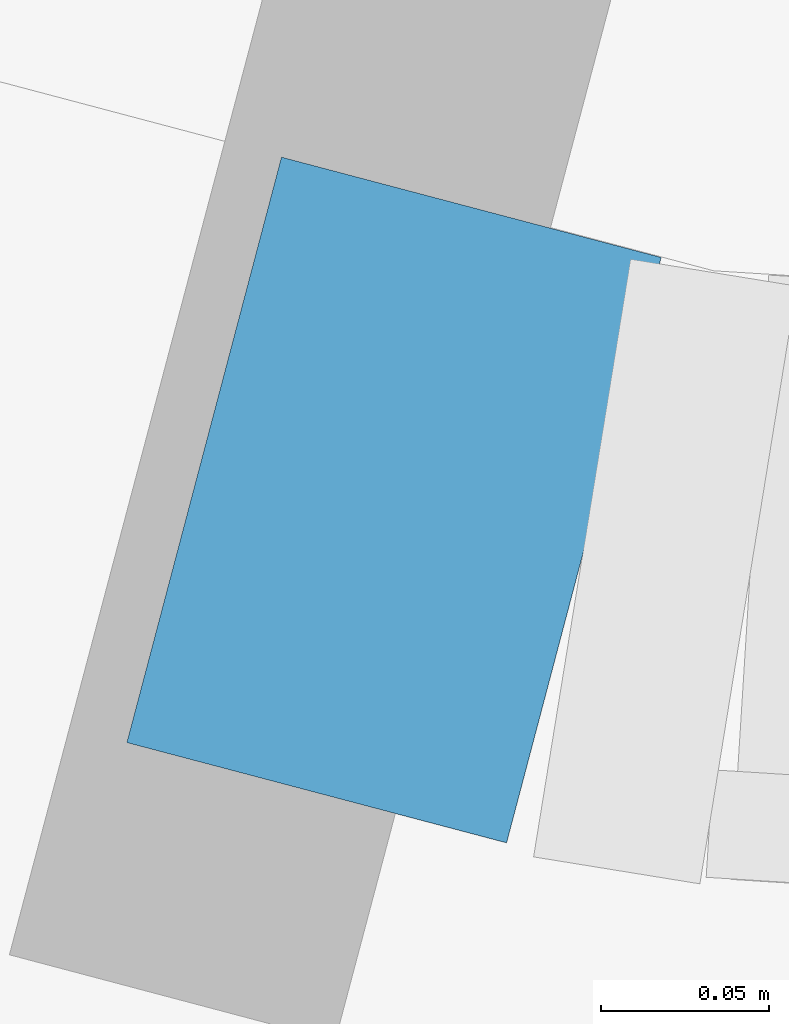
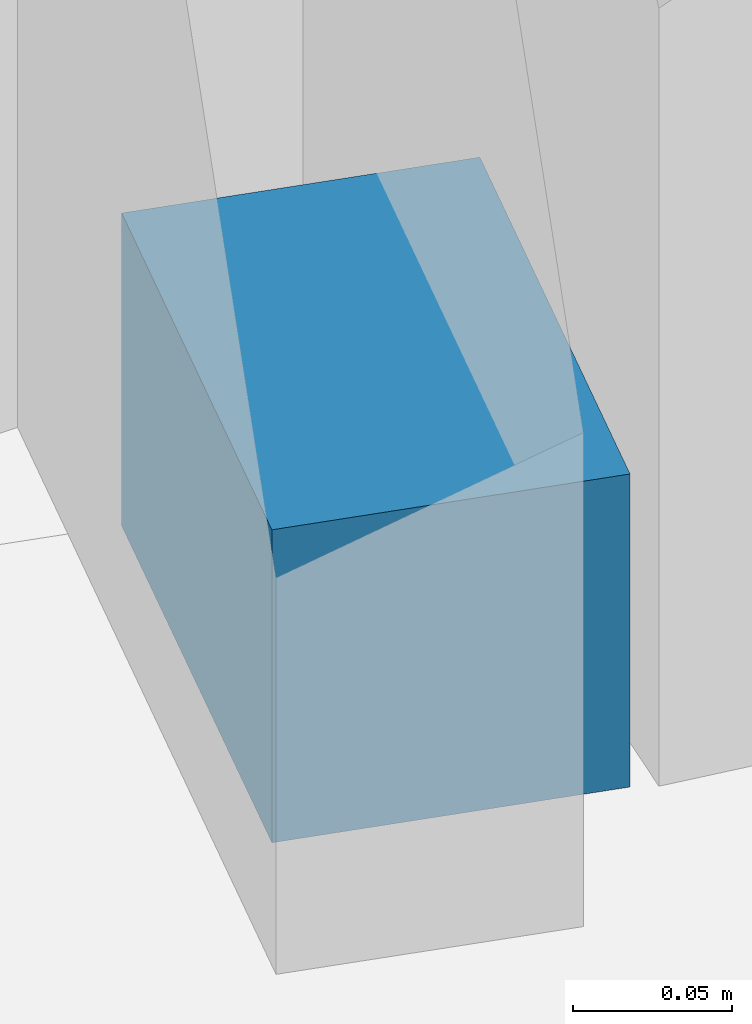
# One storey, part 15 of 34: 1 member, 1 element without a shape of its own.
"""IFC4 building model written with IfcOpenShell, lengths in metres."""

from ifc_helpers import new_model, si_unit, direction, frame, origin, origin_2d, place, context, subcontext, project, spatial, rectangle, extrude, material, material_profile, profile_set, type_object, element, aggregate, save


model = new_model("IFC4")

# Units and contexts
model_context = context("Model", 3, precision=1e-05, world=origin(), true_north=direction((0.0, 1.0)))
body_context = subcontext(model_context, "Body", "Model", "MODEL_VIEW")
ifc_project = project(units=[si_unit("LENGTHUNIT", "METRE"), si_unit("AREAUNIT", "SQUARE_METRE"), si_unit("VOLUMEUNIT", "CUBIC_METRE"), si_unit("PLANEANGLEUNIT", "RADIAN"), si_unit("MASSUNIT", "GRAM", prefix="KILO")], contexts=[model_context])

# Site, building, storey
site_placement = place(None, origin())
site = spatial("IfcSite", under=ifc_project, at=site_placement, CompositionType="ELEMENT")
building_placement = place(site_placement, origin())
building = spatial("IfcBuilding", under=site, at=building_placement, Name="Orlundy Tower", CompositionType="ELEMENT")
storey_placement = place(building_placement, frame((0.0, 0.0, 102.199951171875)))
storey = spatial("IfcBuildingStorey", under=building, at=storey_placement, Name="L25", CompositionType="ELEMENT", Elevation=102.199951171875)

# Curtain wall, member
ifc_material_1 = material(Name="Aluminium bronze anodised", Category="aluminium")
curtain_wall_type = type_object("IfcCurtainWallType", Name="CW1 wall", PredefinedType="NOTDEFINED", material=ifc_material_1)
curtain_wall_placement = place(storey_placement, origin())
curtain_wall = element("IfcCurtainWall", 1, at=curtain_wall_placement, inside=storey, type_object=curtain_wall_type, Name="CW1 run 00", PredefinedType="NOTDEFINED")
ifc_material_2 = material(Name="Aluminium bronze anodised", Category="aluminium")
ifc_material_profile = material_profile(ifc_material_2, rectangle(XDim=0.179931640625, YDim=0.1201171875, at=origin_2d()), Name="CW1 transom 180x120")
ifc_profile_set = profile_set([ifc_material_profile], Name="Aluminium bronze anodised")
member_type = type_object("IfcMemberType", Name="CW1 transom 180x120", PredefinedType="USERDEFINED", material=ifc_profile_set)
member_placement = place(storey_placement, frame((44.141357421875, -32.472900390625, 0.06005859375), z_axis=(-0.966857319322, 0.255317300773, 0.0), x_axis=(-0.255317300773, -0.966857319322, 0.0)))
member = element("IfcMember", 2, at=member_placement, type_object=member_type, Name="CW1 transom", ObjectType="TRANSOM", PredefinedType="USERDEFINED", context=body_context, shape_type="SweptSolid", body=[
    extrude(rectangle(XDim=0.179931640625, YDim=0.1201171875, at=origin_2d()), origin(), (0.0, 0.0, 1.0), 0.11669921875),
])
aggregate(curtain_wall, [member])

save(model, "model.ifc")
